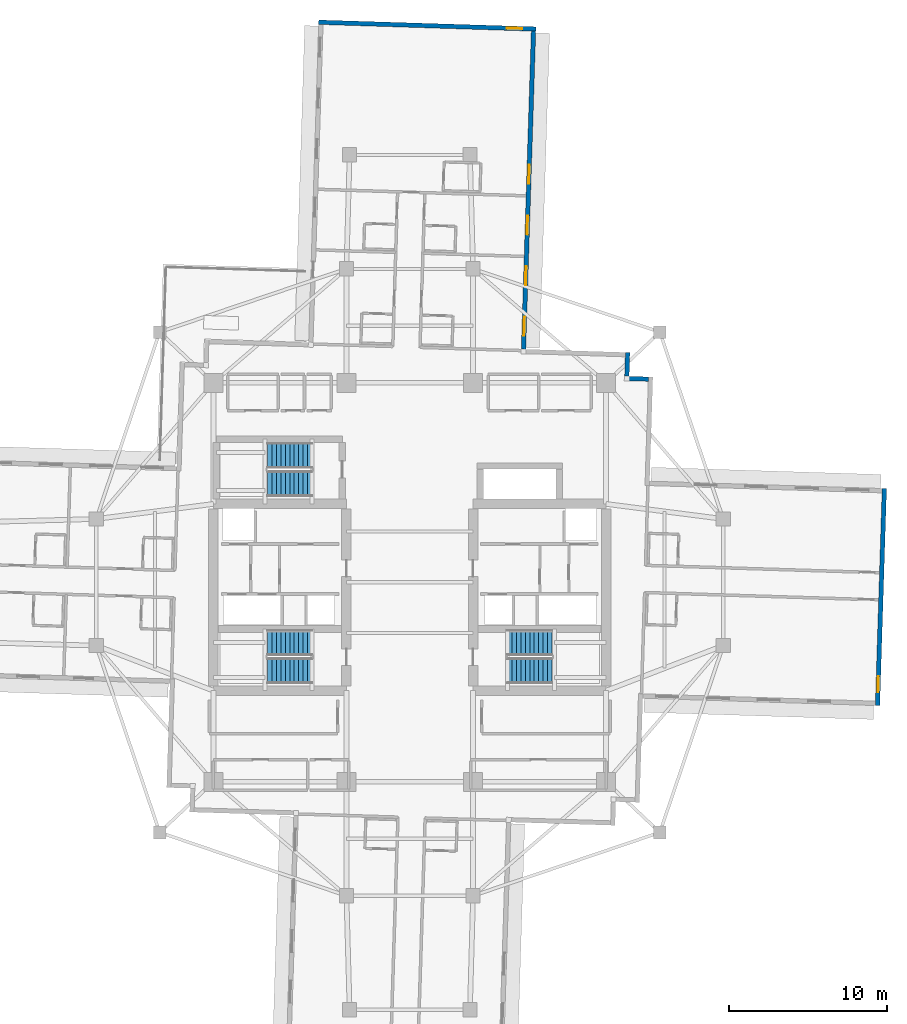
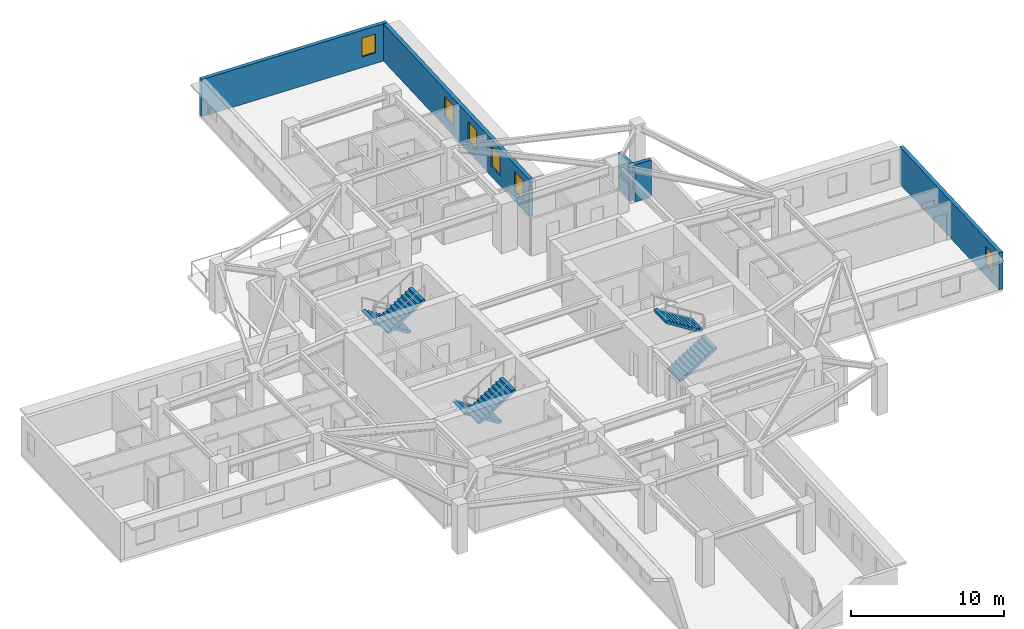
# One storey, part 8 of 13: 6 stair flights, 6 windows, 5 walls, 6 openings, 3 elements without a shape of their own.
"""IFC4 building model written with IfcOpenShell, lengths in metres."""

from ifc_helpers import new_model, si_unit, direction, frame, frame_2d, origin, place, context, subcontext, project, spatial, polyline, rectangle, outline, extrude, material, layer, layer_set, type_object, element, fill, aggregate, save


model = new_model("IFC4")

# Units and contexts
model_context = context("Model", 3, precision=1e-05, world=origin(), true_north=direction((0.0, 1.0)))
body_context = subcontext(model_context, "Body", "Model", "MODEL_VIEW")
ifc_project = project(units=[si_unit("LENGTHUNIT", "METRE"), si_unit("AREAUNIT", "SQUARE_METRE"), si_unit("VOLUMEUNIT", "CUBIC_METRE"), si_unit("PLANEANGLEUNIT", "RADIAN"), si_unit("MASSUNIT", "GRAM", prefix="KILO")], contexts=[model_context])

# Site, building, storey
site_placement = place(None, origin())
site = spatial("IfcSite", under=ifc_project, at=site_placement, CompositionType="ELEMENT")
building_placement = place(site_placement, origin())
building = spatial("IfcBuilding", under=site, at=building_placement, Name="Qingluan Cross Belvedere", CompositionType="ELEMENT")
storey_placement = place(building_placement, frame((0.0, 0.0, 152.699951171875)))
storey = spatial("IfcBuildingStorey", under=building, at=storey_placement, Name="L38", CompositionType="ELEMENT", Elevation=152.699951171875)

# Wall, opening, window
ifc_material_1 = material(Name="Precast concrete C45", Category="concrete")
ifc_layer_1 = layer(ifc_material_1, 0.280029296875, Name="PrecastFacadeWall_280")
ifc_layer_set_1 = layer_set([ifc_layer_1], Name="Precast concrete C45")
wall_type = type_object("IfcWallType", Name="PrecastFacadeWall_280", PredefinedType="STANDARD", material=ifc_layer_set_1)
wall_1_placement = place(storey_placement, frame((29.5498046875, -7.7919921875, 0.0), z_axis=(0.0, 0.0, 1.0), x_axis=(0.031407524763, 0.999506662003, 0.0)))
wall_1 = element("IfcWall", 1, at=wall_1_placement, inside=storey, type_object=wall_type, Name="Arm tip precast facade wall L38-E", PredefinedType="STANDARD", context=body_context, shape_type="SweptSolid", body=[
    extrude(rectangle(XDim=13.719970703125, YDim=0.280029296875, at=frame_2d((6.85986328125, 0.0))), origin(), (0.0, 0.0, 1.0), 2.969970703125),
])
opening_1_placement = place(wall_1_placement, frame((0.85009765625, 0.0, 0.85009765625)))
opening_1 = element("IfcOpeningElement", 2, at=opening_1_placement, cuts=wall_1, Name="Opening W-03", PredefinedType="OPENING", context=body_context, shape_type="SweptSolid", body=[
    extrude(rectangle(XDim=1.0, YDim=1.5, at=frame_2d((0.5, 0.75))), frame((0.0, 0.14990234375, 0.0), z_axis=(0.0, -1.0, 0.0), x_axis=(1.0, 0.0, 0.0)), (0.0, 0.0, 1.0), 0.300048828125),
])
ifc_material_2 = material(Name="Thermally broken triple Low-E glass in aluminium frame", Category="aluminium")
window_type_1 = type_object("IfcWindowType", Name="TriApexWin_1000x1500", PartitioningType="SINGLE_PANEL", PredefinedType="WINDOW", material=ifc_material_2)
window_1_placement = place(opening_1_placement, origin())
window_1 = element("IfcWindow", 3, at=window_1_placement, inside=storey, type_object=window_type_1, Name="Arm tip triangular window L38-E", OverallHeight=1.5, OverallWidth=1.0, PartitioningType="SINGLE_PANEL", PredefinedType="WINDOW", context=body_context, shape_type="SweptSolid", body=[
    extrude(rectangle(XDim=1.0, YDim=1.5, at=frame_2d((0.5, 0.75))), frame((0.0, 0.030029296875, 0.0), z_axis=(0.0, -1.0, 0.0), x_axis=(1.0, 0.0, 0.0)), (0.0, 0.0, 1.0), 0.06005859375),
])
fill(opening_1, window_1)

# Wall, openings, windows
wall_2_placement = place(storey_placement, frame((7.18603515625, 14.721435546875, 0.0), z_axis=(0.0, 0.0, 1.0), x_axis=(0.031410322165, 0.999506574096, 0.0)))
wall_2 = element("IfcWall", 4, at=wall_2_placement, inside=storey, type_object=wall_type, Name="Facade wall L38-NA", PredefinedType="STANDARD", context=body_context, shape_type="SweptSolid", body=[
    extrude(rectangle(XDim=20.10009765625, YDim=0.280029296875, at=frame_2d((10.050048828125, 0.0))), origin(), (0.0, 0.0, 1.0), 2.969970703125),
])
opening_2_placement = place(wall_2_placement, frame((0.85009765625, 0.0, 0.800048828125)))
opening_2 = element("IfcOpeningElement", 5, at=opening_2_placement, cuts=wall_2, Name="Opening W-02", PredefinedType="OPENING", context=body_context, shape_type="SweptSolid", body=[
    extrude(rectangle(XDim=1.199951171875, YDim=1.60009765625, at=frame_2d((0.60009765625, 0.800048828125))), frame((0.0, 0.14990234375, 0.0), z_axis=(0.0, -1.0, 0.0), x_axis=(1.0, 0.0, 0.0)), (0.0, 0.0, 1.0), 0.300048828125),
])
opening_3_placement = place(wall_2_placement, frame((4.050048828125, 0.0, 0.800048828125)))
opening_3 = element("IfcOpeningElement", 6, at=opening_3_placement, cuts=wall_2, Name="Opening W-02", PredefinedType="OPENING", context=body_context, shape_type="SweptSolid", body=[
    extrude(rectangle(XDim=1.199951171875, YDim=1.60009765625, at=frame_2d((0.60009765625, 0.800048828125))), frame((0.0, 0.14990234375, 0.0), z_axis=(0.0, -1.0, 0.0), x_axis=(1.0, 0.0, 0.0)), (0.0, 0.0, 1.0), 0.300048828125),
])
opening_4_placement = place(wall_2_placement, frame((7.25, 0.0, 0.800048828125)))
opening_4 = element("IfcOpeningElement", 7, at=opening_4_placement, cuts=wall_2, Name="Opening W-02", PredefinedType="OPENING", context=body_context, shape_type="SweptSolid", body=[
    extrude(rectangle(XDim=1.199951171875, YDim=1.60009765625, at=frame_2d((0.60009765625, 0.800048828125))), frame((0.0, 0.14990234375, 0.0), z_axis=(0.0, -1.0, 0.0), x_axis=(1.0, 0.0, 0.0)), (0.0, 0.0, 1.0), 0.300048828125),
])
opening_5_placement = place(wall_2_placement, frame((10.449951171875, 0.0, 0.800048828125)))
opening_5 = element("IfcOpeningElement", 8, at=opening_5_placement, cuts=wall_2, Name="Opening W-02", PredefinedType="OPENING", context=body_context, shape_type="SweptSolid", body=[
    extrude(rectangle(XDim=1.199951171875, YDim=1.60009765625, at=frame_2d((0.60009765625, 0.800048828125))), frame((0.0, 0.14990234375, 0.0), z_axis=(0.0, -1.0, 0.0), x_axis=(1.0, 0.0, 0.0)), (0.0, 0.0, 1.0), 0.300048828125),
])
ifc_material_3 = material(Name="Thermally broken triple Low-E glass in aluminium frame", Category="aluminium")
window_type_2 = type_object("IfcWindowType", Name="TriRibbonWin_1200x1600", PartitioningType="SINGLE_PANEL", PredefinedType="WINDOW", material=ifc_material_3)
window_2_placement = place(opening_2_placement, origin())
window_2 = element("IfcWindow", 9, at=window_2_placement, inside=storey, type_object=window_type_2, Name="Ribbon window L38-NA-1", OverallHeight=1.60009765625, OverallWidth=1.199951171875, PartitioningType="SINGLE_PANEL", PredefinedType="WINDOW", context=body_context, shape_type="SweptSolid", body=[
    extrude(rectangle(XDim=1.199951171875, YDim=1.60009765625, at=frame_2d((0.60009765625, 0.800048828125))), frame((0.0, 0.030029296875, 0.0), z_axis=(0.0, -1.0, 0.0), x_axis=(1.0, 0.0, 0.0)), (0.0, 0.0, 1.0), 0.06005859375),
])
fill(opening_2, window_2)
window_3_placement = place(opening_3_placement, origin())
window_3 = element("IfcWindow", 10, at=window_3_placement, inside=storey, type_object=window_type_2, Name="Ribbon window L38-NA-2", OverallHeight=1.60009765625, OverallWidth=1.199951171875, PartitioningType="SINGLE_PANEL", PredefinedType="WINDOW", context=body_context, shape_type="SweptSolid", body=[
    extrude(rectangle(XDim=1.199951171875, YDim=1.60009765625, at=frame_2d((0.60009765625, 0.800048828125))), frame((0.0, 0.030029296875, 0.0), z_axis=(0.0, -1.0, 0.0), x_axis=(1.0, 0.0, 0.0)), (0.0, 0.0, 1.0), 0.06005859375),
])
fill(opening_3, window_3)
window_4_placement = place(opening_4_placement, origin())
window_4 = element("IfcWindow", 11, at=window_4_placement, inside=storey, type_object=window_type_2, Name="Ribbon window L38-NA-3", OverallHeight=1.60009765625, OverallWidth=1.199951171875, PartitioningType="SINGLE_PANEL", PredefinedType="WINDOW", context=body_context, shape_type="SweptSolid", body=[
    extrude(rectangle(XDim=1.199951171875, YDim=1.60009765625, at=frame_2d((0.60009765625, 0.800048828125))), frame((0.0, 0.030029296875, 0.0), z_axis=(0.0, -1.0, 0.0), x_axis=(1.0, 0.0, 0.0)), (0.0, 0.0, 1.0), 0.06005859375),
])
fill(opening_4, window_4)
window_5_placement = place(opening_5_placement, origin())
window_5 = element("IfcWindow", 12, at=window_5_placement, inside=storey, type_object=window_type_2, Name="Ribbon window L38-NA-4", OverallHeight=1.60009765625, OverallWidth=1.199951171875, PartitioningType="SINGLE_PANEL", PredefinedType="WINDOW", context=body_context, shape_type="SweptSolid", body=[
    extrude(rectangle(XDim=1.199951171875, YDim=1.60009765625, at=frame_2d((0.60009765625, 0.800048828125))), frame((0.0, 0.030029296875, 0.0), z_axis=(0.0, -1.0, 0.0), x_axis=(1.0, 0.0, 0.0)), (0.0, 0.0, 1.0), 0.06005859375),
])
fill(opening_5, window_5)

# Wall, opening, window
wall_3_placement = place(storey_placement, frame((7.961669921875, 34.947265625, 0.0), z_axis=(0.0, 0.0, 1.0), x_axis=(-0.999506679556, 0.031406966164, 0.0)))
wall_3 = element("IfcWall", 13, at=wall_3_placement, inside=storey, type_object=wall_type, Name="Arm tip precast facade wall L38-N", PredefinedType="STANDARD", context=body_context, shape_type="SweptSolid", body=[
    extrude(rectangle(XDim=13.72021484375, YDim=0.280029296875, at=frame_2d((6.860107421875, 0.0))), origin(), (0.0, 0.0, 1.0), 2.969970703125),
])
opening_6_placement = place(wall_3_placement, frame((0.85009765625, 0.0, 0.85009765625)))
opening_6 = element("IfcOpeningElement", 14, at=opening_6_placement, cuts=wall_3, Name="Opening W-03", PredefinedType="OPENING", context=body_context, shape_type="SweptSolid", body=[
    extrude(rectangle(XDim=1.0, YDim=1.5, at=frame_2d((0.5, 0.75))), frame((0.0, 0.14990234375, 0.0), z_axis=(0.0, -1.0, 0.0), x_axis=(1.0, 0.0, 0.0)), (0.0, 0.0, 1.0), 0.300048828125),
])
window_6_placement = place(opening_6_placement, origin())
window_6 = element("IfcWindow", 15, at=window_6_placement, inside=storey, type_object=window_type_1, Name="Arm tip triangular window L38-N", OverallHeight=1.5, OverallWidth=1.0, PartitioningType="SINGLE_PANEL", PredefinedType="WINDOW", context=body_context, shape_type="SweptSolid", body=[
    extrude(rectangle(XDim=1.0, YDim=1.5, at=frame_2d((0.5, 0.75))), frame((0.0, 0.030029296875, 0.0), z_axis=(0.0, -1.0, 0.0), x_axis=(1.0, 0.0, 0.0)), (0.0, 0.0, 1.0), 0.06005859375),
])
fill(opening_6, window_6)

# Walls
wall_4_placement = place(storey_placement, frame((15.070556640625, 12.8330078125, 0.0), z_axis=(0.0, 0.0, 1.0), x_axis=(-0.999506398264, 0.031415916822, 0.0)))
element("IfcWall", 16, at=wall_4_placement, inside=storey, type_object=wall_type, Name="Corner wall L38-NE2", PredefinedType="STANDARD", context=body_context, shape_type="SweptSolid", body=[
    extrude(rectangle(XDim=1.219970703125, YDim=0.280029296875, at=frame_2d((0.60986328125, 0.0))), origin(), (0.0, 0.0, 1.0), 2.969970703125),
])
wall_5_placement = place(storey_placement, frame((13.715576171875, 13.015625, 0.0), z_axis=(0.0, 0.0, 1.0), x_axis=(0.031412596484, 0.999506502621, 0.0)))
element("IfcWall", 17, at=wall_5_placement, inside=storey, type_object=wall_type, Name="Corner wall L38-NE3", PredefinedType="STANDARD", context=body_context, shape_type="SweptSolid", body=[
    extrude(rectangle(XDim=1.5, YDim=0.280029296875, at=frame_2d((0.75, 0.0))), origin(), (0.0, 0.0, 1.0), 2.969970703125),
])

# Stair, stair flights
ifc_material_4 = material(Name="Concrete C40", Category="concrete")
stair_type = type_object("IfcStairType", Name="CoreDoglegStair_1620", PredefinedType="HALF_TURN_STAIR", material=ifc_material_4)
stair_1_placement = place(storey_placement, origin())
stair_1 = element("IfcStair", 18, at=stair_1_placement, inside=storey, type_object=stair_type, Name="L38 ST1", PredefinedType="HALF_TURN_STAIR")
ifc_material_5 = material(Name="Concrete C40", Category="concrete")
ifc_layer_2 = layer(ifc_material_5, 0.179931640625, Name="StairFlight_RC180")
ifc_layer_set_2 = layer_set([ifc_layer_2], Name="Concrete C40")
stair_flight_type = type_object("IfcStairFlightType", Name="StairFlight_RC180", PredefinedType="STRAIGHT", material=ifc_layer_set_2)
stair_flight_1_placement = place(storey_placement, frame((-6.179931640625, -3.81005859375, 0.0), z_axis=(0.0, 0.0, 1.0), x_axis=(-1.0, 0.0, 0.0)))
stair_flight_1 = element("IfcStairFlight", 19, at=stair_flight_1_placement, type_object=stair_flight_type, Name="ST1 flight 1", NumberOfRisers=11, NumberOfTreads=10, PredefinedType="STRAIGHT", RiserHeight=0.177272727, TreadLength=0.28, context=body_context, shape_type="SweptSolid", body=[
    extrude(outline(polyline([(0.0, 0.0), (0.0, 0.17724609375), (0.280029296875, 0.17724609375), (0.280029296875, 0.3544921875), (0.56005859375, 0.3544921875), (0.56005859375, 0.53173828125), (0.840087890625, 0.53173828125), (0.840087890625, 0.708984375), (1.1201171875, 0.708984375), (1.1201171875, 0.886474609375), (1.39990234375, 0.886474609375), (1.39990234375, 1.063720703125), (1.679931640625, 1.063720703125), (1.679931640625, 1.240966796875), (1.9599609375, 1.240966796875), (1.9599609375, 1.418212890625), (2.239990234375, 1.418212890625), (2.239990234375, 1.595458984375), (2.52001953125, 1.595458984375), (2.52001953125, 1.772705078125), (2.800048828125, 1.772705078125), (2.800048828125, 1.949951171875), (2.800048828125, 1.59521484375), (0.2802734375, 0.0), (0.0, 0.0)])), frame((0.0, 0.81005859375, 0.0), z_axis=(0.0, -1.0, 0.0), x_axis=(1.0, 0.0, 0.0)), (0.0, 0.0, 1.0), 1.6201171875),
])
stair_flight_2_placement = place(storey_placement, frame((-8.97998046875, -5.590087890625, 1.949951171875), z_axis=(0.0, 0.0, 1.0), x_axis=(1.0, 0.0, 0.0)))
stair_flight_2 = element("IfcStairFlight", 20, at=stair_flight_2_placement, type_object=stair_flight_type, Name="ST1 flight 2", NumberOfRisers=11, NumberOfTreads=10, PredefinedType="STRAIGHT", RiserHeight=0.177272727, TreadLength=0.28, context=body_context, shape_type="SweptSolid", body=[
    extrude(outline(polyline([(0.0, 0.0), (0.0, 0.17724609375), (0.280029296875, 0.17724609375), (0.280029296875, 0.3544921875), (0.56005859375, 0.3544921875), (0.56005859375, 0.53173828125), (0.840087890625, 0.53173828125), (0.840087890625, 0.708984375), (1.1201171875, 0.708984375), (1.1201171875, 0.886474609375), (1.39990234375, 0.886474609375), (1.39990234375, 1.063720703125), (1.679931640625, 1.063720703125), (1.679931640625, 1.240966796875), (1.9599609375, 1.240966796875), (1.9599609375, 1.418212890625), (2.239990234375, 1.418212890625), (2.239990234375, 1.595458984375), (2.52001953125, 1.595458984375), (2.52001953125, 1.772705078125), (2.800048828125, 1.772705078125), (2.800048828125, 1.949951171875), (2.800048828125, 1.59521484375), (0.2802734375, 0.0), (0.0, 0.0)])), frame((0.0, 0.81005859375, 0.0), z_axis=(0.0, -1.0, 0.0), x_axis=(1.0, 0.0, 0.0)), (0.0, 0.0, 1.0), 1.6201171875),
])
aggregate(stair_1, [stair_flight_1, stair_flight_2])

stair_2_placement = place(storey_placement, origin())
stair_2 = element("IfcStair", 21, at=stair_2_placement, inside=storey, type_object=stair_type, Name="L38 ST2", PredefinedType="HALF_TURN_STAIR")
stair_flight_3_placement = place(storey_placement, frame((6.179931640625, -5.590087890625, 0.0), z_axis=(0.0, 0.0, 1.0), x_axis=(1.0, 0.0, 0.0)))
stair_flight_3 = element("IfcStairFlight", 22, at=stair_flight_3_placement, type_object=stair_flight_type, Name="ST2 flight 1", NumberOfRisers=11, NumberOfTreads=10, PredefinedType="STRAIGHT", RiserHeight=0.177272727, TreadLength=0.28, context=body_context, shape_type="SweptSolid", body=[
    extrude(outline(polyline([(0.0, 0.0), (0.0, 0.17724609375), (0.280029296875, 0.17724609375), (0.280029296875, 0.3544921875), (0.56005859375, 0.3544921875), (0.56005859375, 0.53173828125), (0.840087890625, 0.53173828125), (0.840087890625, 0.708984375), (1.1201171875, 0.708984375), (1.1201171875, 0.886474609375), (1.39990234375, 0.886474609375), (1.39990234375, 1.063720703125), (1.679931640625, 1.063720703125), (1.679931640625, 1.240966796875), (1.9599609375, 1.240966796875), (1.9599609375, 1.418212890625), (2.239990234375, 1.418212890625), (2.239990234375, 1.595458984375), (2.52001953125, 1.595458984375), (2.52001953125, 1.772705078125), (2.800048828125, 1.772705078125), (2.800048828125, 1.949951171875), (2.800048828125, 1.59521484375), (0.2802734375, 0.0), (0.0, 0.0)])), frame((0.0, 0.81005859375, 0.0), z_axis=(0.0, -1.0, 0.0), x_axis=(1.0, 0.0, 0.0)), (0.0, 0.0, 1.0), 1.6201171875),
])
stair_flight_4_placement = place(storey_placement, frame((8.97998046875, -3.81005859375, 1.949951171875), z_axis=(0.0, 0.0, 1.0), x_axis=(-1.0, 0.0, 0.0)))
stair_flight_4 = element("IfcStairFlight", 23, at=stair_flight_4_placement, type_object=stair_flight_type, Name="ST2 flight 2", NumberOfRisers=11, NumberOfTreads=10, PredefinedType="STRAIGHT", RiserHeight=0.177272727, TreadLength=0.28, context=body_context, shape_type="SweptSolid", body=[
    extrude(outline(polyline([(0.0, 0.0), (0.0, 0.17724609375), (0.280029296875, 0.17724609375), (0.280029296875, 0.3544921875), (0.56005859375, 0.3544921875), (0.56005859375, 0.53173828125), (0.840087890625, 0.53173828125), (0.840087890625, 0.708984375), (1.1201171875, 0.708984375), (1.1201171875, 0.886474609375), (1.39990234375, 0.886474609375), (1.39990234375, 1.063720703125), (1.679931640625, 1.063720703125), (1.679931640625, 1.240966796875), (1.9599609375, 1.240966796875), (1.9599609375, 1.418212890625), (2.239990234375, 1.418212890625), (2.239990234375, 1.595458984375), (2.52001953125, 1.595458984375), (2.52001953125, 1.772705078125), (2.800048828125, 1.772705078125), (2.800048828125, 1.949951171875), (2.800048828125, 1.59521484375), (0.2802734375, 0.0), (0.0, 0.0)])), frame((0.0, 0.81005859375, 0.0), z_axis=(0.0, -1.0, 0.0), x_axis=(1.0, 0.0, 0.0)), (0.0, 0.0, 1.0), 1.6201171875),
])
aggregate(stair_2, [stair_flight_3, stair_flight_4])

stair_3_placement = place(storey_placement, origin())
stair_3 = element("IfcStair", 24, at=stair_3_placement, inside=storey, type_object=stair_type, Name="L38 ST3", PredefinedType="HALF_TURN_STAIR")
stair_flight_5_placement = place(storey_placement, frame((-6.179931640625, 8.010009765625, 0.0), z_axis=(0.0, 0.0, 1.0), x_axis=(-1.0, 0.0, 0.0)))
stair_flight_5 = element("IfcStairFlight", 25, at=stair_flight_5_placement, type_object=stair_flight_type, Name="ST3 flight 1", NumberOfRisers=11, NumberOfTreads=10, PredefinedType="STRAIGHT", RiserHeight=0.177272727, TreadLength=0.28, context=body_context, shape_type="SweptSolid", body=[
    extrude(outline(polyline([(0.0, 0.0), (0.0, 0.17724609375), (0.280029296875, 0.17724609375), (0.280029296875, 0.3544921875), (0.56005859375, 0.3544921875), (0.56005859375, 0.53173828125), (0.840087890625, 0.53173828125), (0.840087890625, 0.708984375), (1.1201171875, 0.708984375), (1.1201171875, 0.886474609375), (1.39990234375, 0.886474609375), (1.39990234375, 1.063720703125), (1.679931640625, 1.063720703125), (1.679931640625, 1.240966796875), (1.9599609375, 1.240966796875), (1.9599609375, 1.418212890625), (2.239990234375, 1.418212890625), (2.239990234375, 1.595458984375), (2.52001953125, 1.595458984375), (2.52001953125, 1.772705078125), (2.800048828125, 1.772705078125), (2.800048828125, 1.949951171875), (2.800048828125, 1.59521484375), (0.2802734375, 0.0), (0.0, 0.0)])), frame((0.0, 0.81005859375, 0.0), z_axis=(0.0, -1.0, 0.0), x_axis=(1.0, 0.0, 0.0)), (0.0, 0.0, 1.0), 1.6201171875),
])
stair_flight_6_placement = place(storey_placement, frame((-8.97998046875, 6.22998046875, 1.949951171875), z_axis=(0.0, 0.0, 1.0), x_axis=(1.0, 0.0, 0.0)))
stair_flight_6 = element("IfcStairFlight", 26, at=stair_flight_6_placement, type_object=stair_flight_type, Name="ST3 flight 2", NumberOfRisers=11, NumberOfTreads=10, PredefinedType="STRAIGHT", RiserHeight=0.177272727, TreadLength=0.28, context=body_context, shape_type="SweptSolid", body=[
    extrude(outline(polyline([(0.0, 0.0), (0.0, 0.17724609375), (0.280029296875, 0.17724609375), (0.280029296875, 0.3544921875), (0.56005859375, 0.3544921875), (0.56005859375, 0.53173828125), (0.840087890625, 0.53173828125), (0.840087890625, 0.708984375), (1.1201171875, 0.708984375), (1.1201171875, 0.886474609375), (1.39990234375, 0.886474609375), (1.39990234375, 1.063720703125), (1.679931640625, 1.063720703125), (1.679931640625, 1.240966796875), (1.9599609375, 1.240966796875), (1.9599609375, 1.418212890625), (2.239990234375, 1.418212890625), (2.239990234375, 1.595458984375), (2.52001953125, 1.595458984375), (2.52001953125, 1.772705078125), (2.800048828125, 1.772705078125), (2.800048828125, 1.949951171875), (2.800048828125, 1.59521484375), (0.2802734375, 0.0), (0.0, 0.0)])), frame((0.0, 0.81005859375, 0.0), z_axis=(0.0, -1.0, 0.0), x_axis=(1.0, 0.0, 0.0)), (0.0, 0.0, 1.0), 1.6201171875),
])
aggregate(stair_3, [stair_flight_5, stair_flight_6])

save(model, "model.ifc")
